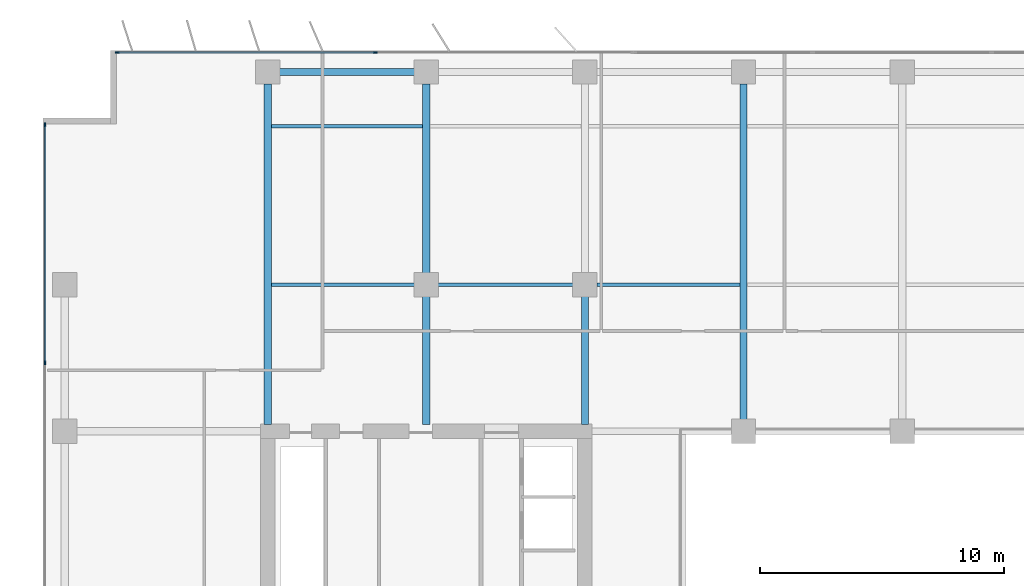
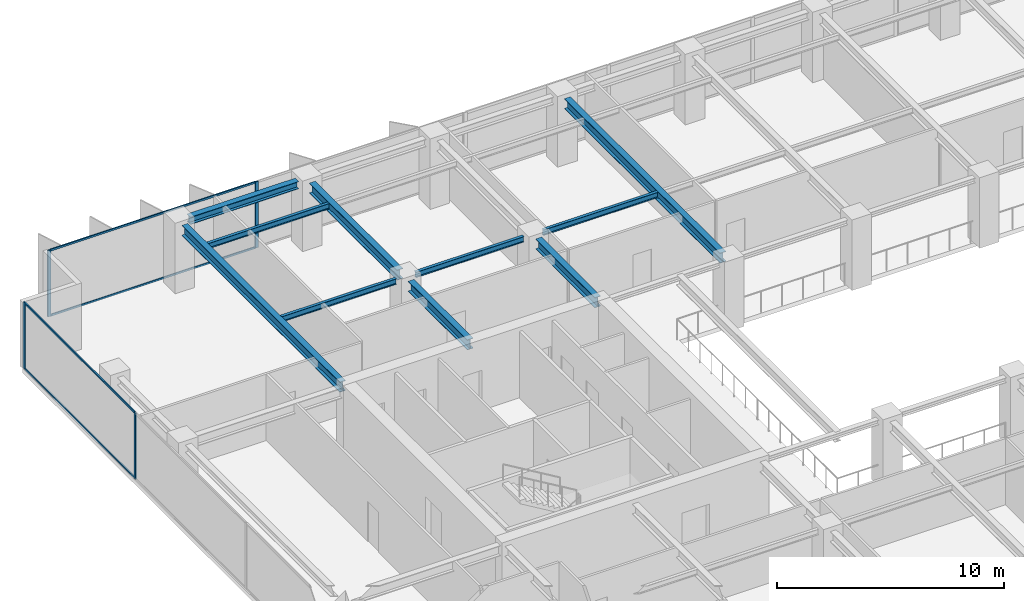
# One storey, part 8 of 22: 10 beams, 8 members, 2 elements without a shape of their own.
"""IFC4 building model written with IfcOpenShell, lengths in metres."""

from ifc_helpers import new_model, si_unit, direction, frame, origin, origin_2d, place, context, subcontext, project, spatial, rectangle, i_section, extrude, material, layer, layer_set, material_profile, profile_set, type_object, element, aggregate, save


model = new_model("IFC4")

# Units and contexts
model_context = context("Model", 3, precision=1e-05, world=origin(), true_north=direction((0.0, 1.0)))
body_context = subcontext(model_context, "Body", "Model", "MODEL_VIEW")
ifc_project = project(units=[si_unit("LENGTHUNIT", "METRE"), si_unit("AREAUNIT", "SQUARE_METRE"), si_unit("VOLUMEUNIT", "CUBIC_METRE"), si_unit("PLANEANGLEUNIT", "RADIAN"), si_unit("MASSUNIT", "GRAM", prefix="KILO")], contexts=[model_context])

# Site, building, storey
site_placement = place(None, origin())
site = spatial("IfcSite", under=ifc_project, at=site_placement, CompositionType="ELEMENT")
building_placement = place(site_placement, origin())
building = spatial("IfcBuilding", under=site, at=building_placement, Name="Putna Gate Headquarters", CompositionType="ELEMENT")
storey_placement = place(building_placement, frame((0.0, 0.0, 167.0)))
storey = spatial("IfcBuildingStorey", under=building, at=storey_placement, Name="L41", CompositionType="ELEMENT", Elevation=167.0)

# Beams
ifc_material_1 = material(Name="Steel S355J2", Category="steel")
ifc_material_profile_1 = material_profile(ifc_material_1, i_section(OverallWidth=0.300048828125, OverallDepth=0.550048828125, WebThickness=0.014892578125, FlangeThickness=0.029052734375, at=origin_2d()), Name="Steel S355J2")
ifc_profile_set_1 = profile_set([ifc_material_profile_1], Name="Steel S355J2")
beam_type_1 = type_object("IfcBeamType", Name="BM-GIRD-Z3-HEB550", PredefinedType="USERDEFINED", material=ifc_profile_set_1)
beam_1_placement = place(storey_placement, frame((13.0, 33.284912109375, 3.297119140625), z_axis=(0.0, 1.0, 0.0), x_axis=(-1.0, 0.0, 0.0)))
element("IfcBeam", 1, at=beam_1_placement, inside=storey, type_object=beam_type_1, Name="L41 North Primary Girder X13", ObjectType="GIRDER", PredefinedType="USERDEFINED", context=body_context, shape_type="SweptSolid", body=[
    extrude(i_section(OverallWidth=0.300048828125, OverallDepth=0.550048828125, WebThickness=0.014892578125, FlangeThickness=0.029052734375, at=origin_2d()), origin(), (0.0, 0.0, 1.0), 13.947021484375),
])
beam_2_placement = place(storey_placement, frame((19.5, 33.284912109375, 3.297119140625), z_axis=(0.0, 1.0, 0.0), x_axis=(-1.0, 0.0, 0.0)))
element("IfcBeam", 2, at=beam_2_placement, inside=storey, type_object=beam_type_1, Name="L41 North Primary Girder X19-1", ObjectType="GIRDER", PredefinedType="USERDEFINED", context=body_context, shape_type="SweptSolid", body=[
    extrude(i_section(OverallWidth=0.300048828125, OverallDepth=0.550048828125, WebThickness=0.014892578125, FlangeThickness=0.029052734375, at=origin_2d()), origin(), (0.0, 0.0, 1.0), 5.22705078125),
])
beam_3_placement = place(storey_placement, frame((19.5, 39.488037109375, 3.297119140625), z_axis=(0.0, 1.0, 0.0), x_axis=(-1.0, 0.0, 0.0)))
element("IfcBeam", 3, at=beam_3_placement, inside=storey, type_object=beam_type_1, Name="L41 North Primary Girder X19-2", ObjectType="GIRDER", PredefinedType="USERDEFINED", context=body_context, shape_type="SweptSolid", body=[
    extrude(i_section(OverallWidth=0.300048828125, OverallDepth=0.550048828125, WebThickness=0.014892578125, FlangeThickness=0.029052734375, at=origin_2d()), origin(), (0.0, 0.0, 1.0), 7.743896484375),
])
beam_4_placement = place(storey_placement, frame((26.0, 33.284912109375, 3.297119140625), z_axis=(0.0, 1.0, 0.0), x_axis=(-1.0, 0.0, 0.0)))
element("IfcBeam", 4, at=beam_4_placement, inside=storey, type_object=beam_type_1, Name="L41 North Primary Girder X26-1", ObjectType="GIRDER", PredefinedType="USERDEFINED", context=body_context, shape_type="SweptSolid", body=[
    extrude(i_section(OverallWidth=0.300048828125, OverallDepth=0.550048828125, WebThickness=0.014892578125, FlangeThickness=0.029052734375, at=origin_2d()), origin(), (0.0, 0.0, 1.0), 5.22705078125),
])
beam_5_placement = place(storey_placement, frame((32.5, 33.488037109375, 3.297119140625), z_axis=(0.0, 1.0, 0.0), x_axis=(-1.0, 0.0, 0.0)))
element("IfcBeam", 5, at=beam_5_placement, inside=storey, type_object=beam_type_1, Name="L41 North Primary Girder X32", ObjectType="GIRDER", PredefinedType="USERDEFINED", context=body_context, shape_type="SweptSolid", body=[
    extrude(i_section(OverallWidth=0.300048828125, OverallDepth=0.550048828125, WebThickness=0.014892578125, FlangeThickness=0.029052734375, at=origin_2d()), origin(), (0.0, 0.0, 1.0), 13.743896484375),
])
ifc_material_profile_2 = material_profile(ifc_material_1, i_section(OverallWidth=0.14990234375, OverallDepth=0.300048828125, WebThickness=0.007080078125, FlangeThickness=0.0107421875, at=origin_2d()), Name="Steel S355J2")
ifc_profile_set_2 = profile_set([ifc_material_profile_2], Name="Steel S355J2")
beam_type_2 = type_object("IfcBeamType", Name="BM-SEC-Z3-IPE300", PredefinedType="JOIST", material=ifc_profile_set_2)
beam_6_placement = place(storey_placement, frame((13.154052734375, 39.0, 3.422119140625), z_axis=(1.0, 0.0, 0.0), x_axis=(0.0, 1.0, 0.0)))
element("IfcBeam", 6, at=beam_6_placement, inside=storey, type_object=beam_type_2, Name="L41 North Secondary Beam 1", PredefinedType="JOIST", context=body_context, shape_type="SweptSolid", body=[
    extrude(i_section(OverallWidth=0.14990234375, OverallDepth=0.300048828125, WebThickness=0.007080078125, FlangeThickness=0.0107421875, at=origin_2d()), origin(), (0.0, 0.0, 1.0), 5.85791015625),
])
beam_7_placement = place(storey_placement, frame((13.154052734375, 45.5, 3.422119140625), z_axis=(1.0, 0.0, 0.0), x_axis=(0.0, 1.0, 0.0)))
element("IfcBeam", 7, at=beam_7_placement, inside=storey, type_object=beam_type_2, Name="L41 North Secondary Beam 1", PredefinedType="JOIST", context=body_context, shape_type="SweptSolid", body=[
    extrude(i_section(OverallWidth=0.14990234375, OverallDepth=0.300048828125, WebThickness=0.007080078125, FlangeThickness=0.0107421875, at=origin_2d()), origin(), (0.0, 0.0, 1.0), 6.19189453125),
])
beam_8_placement = place(storey_placement, frame((19.988037109375, 39.0, 3.422119140625), z_axis=(1.0, 0.0, 0.0), x_axis=(0.0, 1.0, 0.0)))
element("IfcBeam", 8, at=beam_8_placement, inside=storey, type_object=beam_type_2, Name="L41 North Secondary Beam 2", PredefinedType="JOIST", context=body_context, shape_type="SweptSolid", body=[
    extrude(i_section(OverallWidth=0.14990234375, OverallDepth=0.300048828125, WebThickness=0.007080078125, FlangeThickness=0.0107421875, at=origin_2d()), origin(), (0.0, 0.0, 1.0), 5.52392578125),
])
beam_9_placement = place(storey_placement, frame((26.488037109375, 39.0, 3.422119140625), z_axis=(1.0, 0.0, 0.0), x_axis=(0.0, 1.0, 0.0)))
element("IfcBeam", 9, at=beam_9_placement, inside=storey, type_object=beam_type_2, Name="L41 North Secondary Beam 3", PredefinedType="JOIST", context=body_context, shape_type="SweptSolid", body=[
    extrude(i_section(OverallWidth=0.14990234375, OverallDepth=0.300048828125, WebThickness=0.007080078125, FlangeThickness=0.0107421875, at=origin_2d()), origin(), (0.0, 0.0, 1.0), 5.85791015625),
])
ifc_material_profile_3 = material_profile(ifc_material_1, i_section(OverallWidth=0.300048828125, OverallDepth=0.39990234375, WebThickness=0.013427734375, FlangeThickness=0.02392578125, at=origin_2d()), Name="Steel S355J2")
ifc_profile_set_3 = profile_set([ifc_material_profile_3], Name="Steel S355J2")
beam_type_3 = type_object("IfcBeamType", Name="BM-SPAN-Z3-HEB400", PredefinedType="SPANDREL", material=ifc_profile_set_3)
beam_10_placement = place(storey_placement, frame((13.488037109375, 47.719970703125, 3.3720703125), z_axis=(1.0, 0.0, 0.0), x_axis=(0.0, 1.0, 0.0)))
element("IfcBeam", 10, at=beam_10_placement, inside=storey, type_object=beam_type_3, Name="L41 N Perimeter Spandrel 1", PredefinedType="SPANDREL", context=body_context, shape_type="SweptSolid", body=[
    extrude(i_section(OverallWidth=0.300048828125, OverallDepth=0.39990234375, WebThickness=0.013427734375, FlangeThickness=0.02392578125, at=origin_2d()), origin(), (0.0, 0.0, 1.0), 5.52392578125),
])

# Curtain wall, members
ifc_material_2 = material(Name="Anodised bronze aluminium curtain wall", Category="aluminium")
ifc_layer = layer(ifc_material_2, 0.159912109375)
ifc_layer_set = layer_set([ifc_layer], Name="Anodised bronze aluminium curtain wall")
curtain_wall_type = type_object("IfcCurtainWallType", Name="CW-SYS-Z3", PredefinedType="USERDEFINED", material=ifc_layer_set)
curtain_wall_1_placement = place(storey_placement, origin())
curtain_wall_1 = element("IfcCurtainWall", 11, at=curtain_wall_1_placement, inside=storey, type_object=curtain_wall_type, Name="L41 North West Curtain Wall", ObjectType="STICK CURTAIN WALL", PredefinedType="USERDEFINED")
ifc_material_3 = material(Name="Anodised bronze aluminium EN AW-6060", Category="aluminium")
ifc_material_profile_4 = material_profile(ifc_material_3, rectangle(XDim=0.06494140625, YDim=0.159912109375, at=origin_2d()), Name="Anodised bronze aluminium EN AW-6060")
ifc_profile_set_4 = profile_set([ifc_material_profile_4], Name="Anodised bronze aluminium EN AW-6060")
member_type_1 = type_object("IfcMemberType", Name="MULL-CWM-3", PredefinedType="MULLION", material=ifc_profile_set_4)
member_1_placement = place(storey_placement, frame((6.83251953125, 48.52001953125, 0.0), z_axis=(0.0, 0.0, 1.0), x_axis=(0.0, 1.0, 0.0)))
member_1 = element("IfcMember", 12, at=member_1_placement, type_object=member_type_1, Name="CWS-3 mullion 1", PredefinedType="MULLION", context=body_context, shape_type="SweptSolid", body=[
    extrude(rectangle(XDim=0.06494140625, YDim=0.159912109375, at=origin_2d()), origin(), (0.0, 0.0, 1.0), 3.572021484375),
])
member_2_placement = place(storey_placement, frame((17.39990234375, 48.52001953125, 0.0), z_axis=(0.0, 0.0, 1.0), x_axis=(0.0, 1.0, 0.0)))
member_2 = element("IfcMember", 13, at=member_2_placement, type_object=member_type_1, Name="CWS-3 mullion 2", PredefinedType="MULLION", context=body_context, shape_type="SweptSolid", body=[
    extrude(rectangle(XDim=0.06494140625, YDim=0.159912109375, at=origin_2d()), origin(), (0.0, 0.0, 1.0), 3.572021484375),
])

curtain_wall_2_placement = place(storey_placement, origin())
curtain_wall_2 = element("IfcCurtainWall", 14, at=curtain_wall_2_placement, inside=storey, type_object=curtain_wall_type, Name="L41 West Curtain Wall", ObjectType="STICK CURTAIN WALL", PredefinedType="USERDEFINED")
member_3_placement = place(storey_placement, frame((3.8798828125, 35.800048828125, 0.0), z_axis=(0.0, 0.0, 1.0), x_axis=(-1.0, 0.0, 0.0)))
member_3 = element("IfcMember", 15, at=member_3_placement, type_object=member_type_1, Name="CWS-3 mullion 4", PredefinedType="MULLION", context=body_context, shape_type="SweptSolid", body=[
    extrude(rectangle(XDim=0.06494140625, YDim=0.159912109375, at=origin_2d()), origin(), (0.0, 0.0, 1.0), 3.572021484375),
])
member_4_placement = place(storey_placement, frame((3.8798828125, 45.5673828125, 0.0), z_axis=(0.0, 0.0, 1.0), x_axis=(-1.0, 0.0, 0.0)))
member_4 = element("IfcMember", 16, at=member_4_placement, type_object=member_type_1, Name="CWS-3 mullion 5", PredefinedType="MULLION", context=body_context, shape_type="SweptSolid", body=[
    extrude(rectangle(XDim=0.06494140625, YDim=0.159912109375, at=origin_2d()), origin(), (0.0, 0.0, 1.0), 3.572021484375),
])

# Member
ifc_material_profile_5 = material_profile(ifc_material_3, rectangle(XDim=0.06005859375, YDim=0.10009765625, at=origin_2d()), Name="Anodised bronze aluminium EN AW-6060")
ifc_profile_set_5 = profile_set([ifc_material_profile_5], Name="Anodised bronze aluminium EN AW-6060")
member_type_2 = type_object("IfcMemberType", Name="TRAN-CWT-3", PredefinedType="USERDEFINED", material=ifc_profile_set_5)
member_5_placement = place(storey_placement, frame((6.864990234375, 48.52001953125, 0.030029296875), z_axis=(1.0, 0.0, 0.0), x_axis=(0.0, 1.0, 0.0)))
member_5 = element("IfcMember", 17, at=member_5_placement, type_object=member_type_2, Name="CWS-3 transom 1.1", ObjectType="TRANSOM", PredefinedType="USERDEFINED", context=body_context, shape_type="SweptSolid", body=[
    extrude(rectangle(XDim=0.06005859375, YDim=0.10009765625, at=origin_2d()), origin(), (0.0, 0.0, 1.0), 10.50244140625),
])

member_6_placement = place(storey_placement, frame((6.864990234375, 48.52001953125, 3.5419921875), z_axis=(1.0, 0.0, 0.0), x_axis=(0.0, 1.0, 0.0)))
member_6 = element("IfcMember", 18, at=member_6_placement, type_object=member_type_2, Name="CWS-3 transom 1.2", ObjectType="TRANSOM", PredefinedType="USERDEFINED", context=body_context, shape_type="SweptSolid", body=[
    extrude(rectangle(XDim=0.06005859375, YDim=0.10009765625, at=origin_2d()), origin(), (0.0, 0.0, 1.0), 10.50244140625),
])

aggregate(curtain_wall_1, [member_1, member_2, member_5, member_6])

member_7_placement = place(storey_placement, frame((3.8798828125, 35.83251953125, 0.030029296875), z_axis=(0.0, 1.0, 0.0), x_axis=(-1.0, 0.0, 0.0)))
member_7 = element("IfcMember", 19, at=member_7_placement, type_object=member_type_2, Name="CWS-3 transom 4.1", ObjectType="TRANSOM", PredefinedType="USERDEFINED", context=body_context, shape_type="SweptSolid", body=[
    extrude(rectangle(XDim=0.06005859375, YDim=0.10009765625, at=origin_2d()), origin(), (0.0, 0.0, 1.0), 9.702392578125),
])

member_8_placement = place(storey_placement, frame((3.8798828125, 35.83251953125, 3.5419921875), z_axis=(0.0, 1.0, 0.0), x_axis=(-1.0, 0.0, 0.0)))
member_8 = element("IfcMember", 20, at=member_8_placement, type_object=member_type_2, Name="CWS-3 transom 4.2", ObjectType="TRANSOM", PredefinedType="USERDEFINED", context=body_context, shape_type="SweptSolid", body=[
    extrude(rectangle(XDim=0.06005859375, YDim=0.10009765625, at=origin_2d()), origin(), (0.0, 0.0, 1.0), 9.702392578125),
])

aggregate(curtain_wall_2, [member_3, member_4, member_7, member_8])

save(model, "model.ifc")
